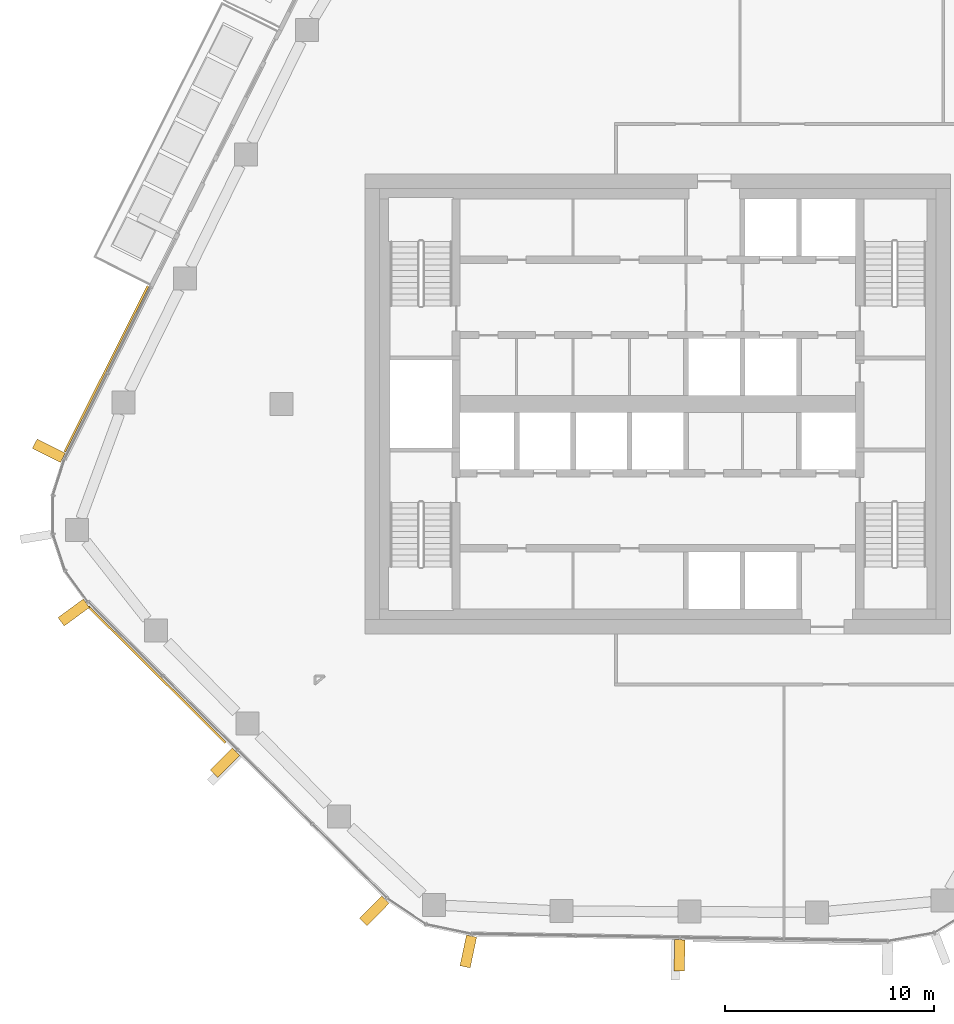
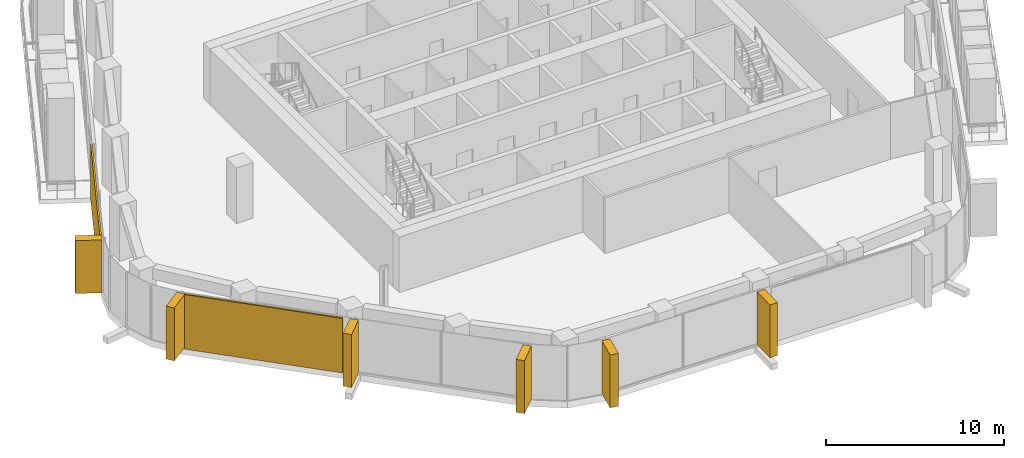
# One storey, part 16 of 22: 8 coverings, 5 elements without a shape of their own.
"""IFC4 building model written with IfcOpenShell, lengths in metres."""

from ifc_helpers import new_model, si_unit, direction, frame, origin, origin_2d, place, context, subcontext, project, spatial, rectangle, extrude, material, layer, layer_set, material_profile, profile_set, type_object, element, aggregate, save


model = new_model("IFC4")

# Units and contexts
model_context = context("Model", 3, precision=1e-05, world=origin(), true_north=direction((0.0, 1.0)))
body_context = subcontext(model_context, "Body", "Model", "MODEL_VIEW")
ifc_project = project(units=[si_unit("LENGTHUNIT", "METRE"), si_unit("AREAUNIT", "SQUARE_METRE"), si_unit("VOLUMEUNIT", "CUBIC_METRE"), si_unit("PLANEANGLEUNIT", "RADIAN"), si_unit("MASSUNIT", "GRAM", prefix="KILO")], contexts=[model_context])

# Site, building, storey
site_placement = place(None, origin())
site = spatial("IfcSite", under=ifc_project, at=site_placement, CompositionType="ELEMENT")
building_placement = place(site_placement, origin())
building = spatial("IfcBuilding", under=site, at=building_placement, Name="Dongbaek Canopy Tower", CompositionType="ELEMENT")
storey_placement = place(building_placement, frame((0.0, 0.0, 237.0)))
storey = spatial("IfcBuildingStorey", under=building, at=storey_placement, Name="L49", CompositionType="ELEMENT", Elevation=237.0)

# Curtain wall, covering
ifc_material_1 = material(Name="Aluminium 6063-T6 pale anodised", Category="aluminium")
ifc_layer_1 = layer(ifc_material_1, 0.199951171875)
ifc_layer_set_1 = layer_set([ifc_layer_1], Name="CW-1 unitised tower curtain wall")
curtain_wall_type = type_object("IfcCurtainWallType", Name="CW-1 unitised tower curtain wall", PredefinedType="NOTDEFINED", material=ifc_layer_set_1)
curtain_wall_1_placement = place(storey_placement, origin())
curtain_wall_1 = element("IfcCurtainWall", 1, at=curtain_wall_1_placement, inside=storey, type_object=curtain_wall_type, Name="CW-1 curtain wall F2.1", PredefinedType="NOTDEFINED")
ifc_material_2 = material(Name="Perforated aluminium 6063-T6 pale metal screen", Category="aluminium")
ifc_layer_2 = layer(ifc_material_2, 0.10009765625)
ifc_layer_set_2 = layer_set([ifc_layer_2], Name="Facet screen FS1 100 pale metal")
covering_type_1 = type_object("IfcCoveringType", Name="Facet screen FS1 100 pale metal", PredefinedType="CLADDING", material=ifc_layer_set_2)
covering_1_placement = place(storey_placement, frame((-26.37060546875, 1.681396484375, 0.0), z_axis=(0.0, 0.0, 1.0), x_axis=(-0.448908874536, -0.893577541326, 0.0)))
covering_1 = element("IfcCovering", 2, at=covering_1_placement, type_object=covering_type_1, Name="Facet screen L49 F2", PredefinedType="CLADDING", context=body_context, shape_type="SweptSolid", body=[
    extrude(rectangle(XDim=8.88330078125, YDim=0.10009765625, at=origin_2d()), origin(), (0.0, 0.0, 1.0), 3.75),
])

curtain_wall_2_placement = place(storey_placement, origin())
curtain_wall_2 = element("IfcCurtainWall", 3, at=curtain_wall_2_placement, inside=storey, type_object=curtain_wall_type, Name="CW-1 curtain wall F3.1", PredefinedType="NOTDEFINED")
covering_2_placement = place(storey_placement, frame((-23.94970703125, -12.934326171875, 0.0), z_axis=(0.0, 0.0, 1.0), x_axis=(0.71016202922, -0.704038274708, 0.0)))
covering_2 = element("IfcCovering", 4, at=covering_2_placement, type_object=covering_type_1, Name="Facet screen L49 F3", PredefinedType="CLADDING", context=body_context, shape_type="SweptSolid", body=[
    extrude(rectangle(XDim=9.251708984375, YDim=0.10009765625, at=origin_2d()), origin(), (0.0, 0.0, 1.0), 3.75),
])

# Covering
ifc_material_3 = material(Name="Aluminium 6063-T6 pale metal fin", Category="aluminium")
ifc_material_profile = material_profile(ifc_material_3, rectangle(XDim=1.5, YDim=0.5, at=origin_2d()), Name="Fin FN1 500 x 1500 pale metal")
ifc_profile_set = profile_set([ifc_material_profile], Name="Aluminium 6063-T6 pale metal fin")
covering_type_2 = type_object("IfcCoveringType", Name="Fin FN1 500 x 1500 pale metal", PredefinedType="CLADDING", material=ifc_profile_set)
covering_3_placement = place(storey_placement, frame((-29.12353515625, -2.230712890625, 0.1201171875), z_axis=(0.0, 0.0, 1.0), x_axis=(-0.893577393042, 0.448909169704, 0.0)))
covering_3 = element("IfcCovering", 5, at=covering_3_placement, type_object=covering_type_2, Name="Fin F2.1.3", PredefinedType="CLADDING", context=body_context, shape_type="SweptSolid", body=[
    extrude(rectangle(XDim=1.5, YDim=0.5, at=origin_2d()), origin(), (0.0, 0.0, 1.0), 3.6298828125),
])

aggregate(curtain_wall_1, [covering_3, covering_1])

# Curtain wall, covering
curtain_wall_3_placement = place(storey_placement, origin())
curtain_wall_3 = element("IfcCurtainWall", 6, at=curtain_wall_3_placement, inside=storey, type_object=curtain_wall_type, Name="CW-1 curtain wall K3.1", PredefinedType="NOTDEFINED")
covering_4_placement = place(storey_placement, frame((-27.92919921875, -9.966064453125, 0.1201171875), z_axis=(0.0, 0.0, 1.0), x_axis=(-0.806363114239, -0.591420770683, 0.0)))
covering_4 = element("IfcCovering", 7, at=covering_4_placement, type_object=covering_type_2, Name="Fin K3.1.5", PredefinedType="CLADDING", context=body_context, shape_type="SweptSolid", body=[
    extrude(rectangle(XDim=1.5, YDim=0.5, at=origin_2d()), origin(), (0.0, 0.0, 1.0), 3.6298828125),
])
aggregate(curtain_wall_3, [covering_4])

# Covering
covering_5_placement = place(storey_placement, frame((-20.698486328125, -17.14892578125, 0.1201171875), z_axis=(0.0, 0.0, 1.0), x_axis=(-0.704037952942, -0.710162348211, 0.0)))
covering_5 = element("IfcCovering", 8, at=covering_5_placement, type_object=covering_type_2, Name="Fin F3.1.3", PredefinedType="CLADDING", context=body_context, shape_type="SweptSolid", body=[
    extrude(rectangle(XDim=1.5, YDim=0.5, at=origin_2d()), origin(), (0.0, 0.0, 1.0), 3.6298828125),
])

covering_6_placement = place(storey_placement, frame((-13.55615234375, -24.229736328125, 0.1201171875), z_axis=(0.0, 0.0, 1.0), x_axis=(-0.704037952942, -0.710162348211, 0.0)))
covering_6 = element("IfcCovering", 9, at=covering_6_placement, type_object=covering_type_2, Name="Fin F3.1.5", PredefinedType="CLADDING", context=body_context, shape_type="SweptSolid", body=[
    extrude(rectangle(XDim=1.5, YDim=0.5, at=origin_2d()), origin(), (0.0, 0.0, 1.0), 3.6298828125),
])

aggregate(curtain_wall_2, [covering_5, covering_6, covering_2])

# Curtain wall, covering
curtain_wall_4_placement = place(storey_placement, origin())
curtain_wall_4 = element("IfcCurtainWall", 10, at=curtain_wall_4_placement, inside=storey, type_object=curtain_wall_type, Name="CW-1 curtain wall K4.1", PredefinedType="NOTDEFINED")
covering_7_placement = place(storey_placement, frame((-9.063232421875, -26.173828125, 0.1201171875), z_axis=(0.0, 0.0, 1.0), x_axis=(-0.206515518802, -0.978443325131, 0.0)))
covering_7 = element("IfcCovering", 11, at=covering_7_placement, type_object=covering_type_2, Name="Fin K4.1.3", PredefinedType="CLADDING", context=body_context, shape_type="SweptSolid", body=[
    extrude(rectangle(XDim=1.5, YDim=0.5, at=origin_2d()), origin(), (0.0, 0.0, 1.0), 3.6298828125),
])
aggregate(curtain_wall_4, [covering_7])

curtain_wall_5_placement = place(storey_placement, origin())
curtain_wall_5 = element("IfcCurtainWall", 12, at=curtain_wall_5_placement, inside=storey, type_object=curtain_wall_type, Name="CW-1 curtain wall F4.1", PredefinedType="NOTDEFINED")
covering_8_placement = place(storey_placement, frame((1.036865234375, -26.361083984375, 0.1201171875), z_axis=(0.0, 0.0, 1.0), x_axis=(-0.016993149743, -0.999855606006, 0.0)))
covering_8 = element("IfcCovering", 13, at=covering_8_placement, type_object=covering_type_2, Name="Fin F4.1.3", PredefinedType="CLADDING", context=body_context, shape_type="SweptSolid", body=[
    extrude(rectangle(XDim=1.5, YDim=0.5, at=origin_2d()), origin(), (0.0, 0.0, 1.0), 3.6298828125),
])
aggregate(curtain_wall_5, [covering_8])

save(model, "model.ifc")
